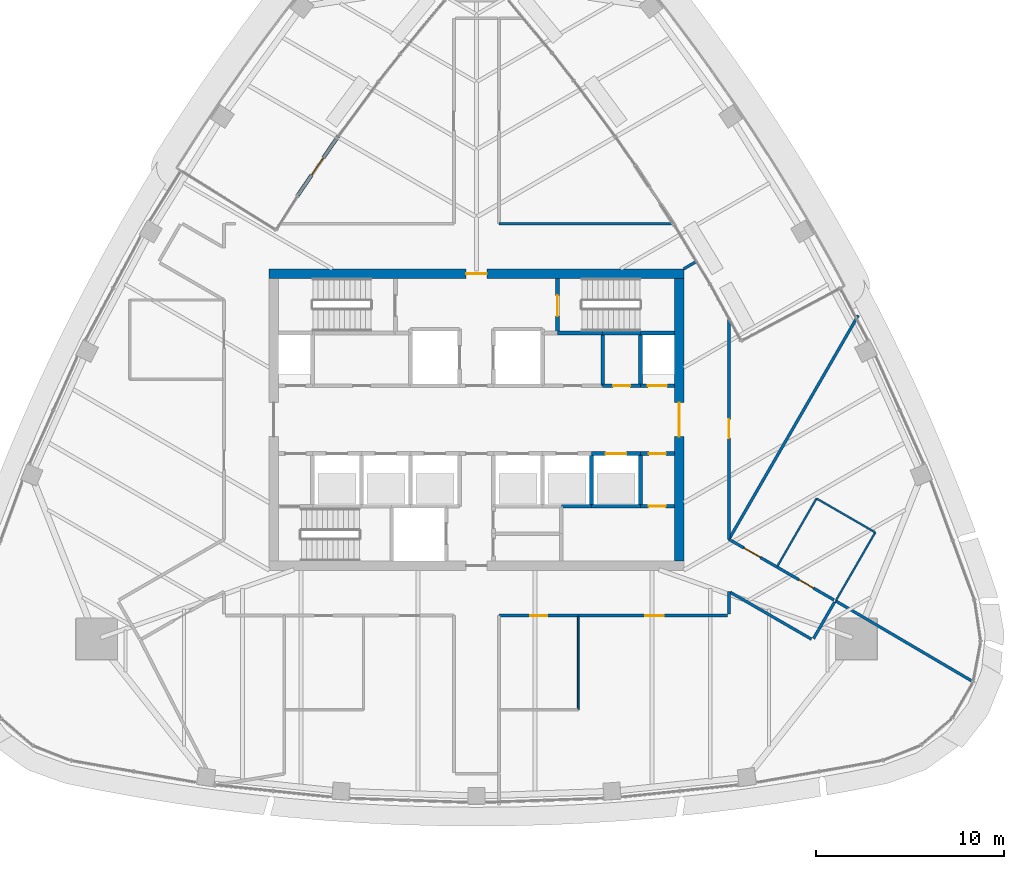
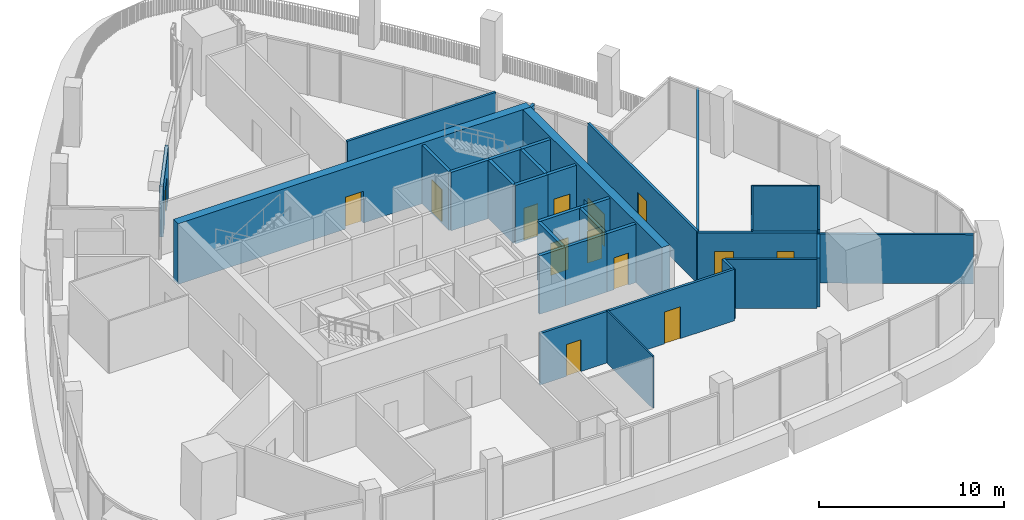
# One storey, part 12 of 18: 32 walls, 14 doors, 14 openings.
"""IFC4 building model written with IfcOpenShell, lengths in metres."""

from ifc_helpers import new_model, si_unit, direction, frame, frame_2d, origin, place, context, subcontext, project, spatial, rectangle, extrude, material, layer, layer_set, type_object, element, fill, save


model = new_model("IFC4")

# Units and contexts
model_context = context("Model", 3, precision=1e-05, world=origin(), true_north=direction((0.0, 1.0)))
body_context = subcontext(model_context, "Body", "Model", "MODEL_VIEW")
ifc_project = project(units=[si_unit("LENGTHUNIT", "METRE"), si_unit("AREAUNIT", "SQUARE_METRE"), si_unit("VOLUMEUNIT", "CUBIC_METRE"), si_unit("PLANEANGLEUNIT", "RADIAN"), si_unit("MASSUNIT", "GRAM", prefix="KILO")], contexts=[model_context])

# Site, building, storey
site_placement = place(None, origin())
site = spatial("IfcSite", under=ifc_project, at=site_placement, CompositionType="ELEMENT")
building_placement = place(site_placement, origin())
building = spatial("IfcBuilding", under=site, at=building_placement, Name="Sierra Prisma Convention Tower", CompositionType="ELEMENT")
storey_placement = place(building_placement, frame((0.0, 0.0, 307.0)))
storey = spatial("IfcBuildingStorey", under=building, at=storey_placement, Name="L70", CompositionType="ELEMENT", Elevation=307.0)

# Walls
ifc_material_1 = material(Name="Gypsum board partition", Category="gypsum")
ifc_layer_1 = layer(ifc_material_1, 0.10009765625)
ifc_layer_set_1 = layer_set([ifc_layer_1], Name="Bathroom partition 100")
wall_type_1 = type_object("IfcWallType", Name="Bathroom partition 100", PredefinedType="PARTITIONING", material=ifc_layer_set_1)
wall_1_placement = place(storey_placement, frame((5.39990234375, -10.429931640625, 0.0), z_axis=(0.0, 0.0, 1.0), x_axis=(0.0, -1.0, 0.0)))
element("IfcWall", 1, at=wall_1_placement, inside=storey, type_object=wall_type_1, Name="Partition L70 bath 6", PredefinedType="PARTITIONING", context=body_context, shape_type="SweptSolid", body=[
    extrude(rectangle(XDim=4.969970703125, YDim=0.10009765625, at=frame_2d((2.48486328125, 0.0))), origin(), (0.0, 0.0, 1.0), 3.449951171875),
])
wall_2_placement = place(storey_placement, frame((15.9609375, -7.794677734375, 0.0), z_axis=(0.0, 0.0, 1.0), x_axis=(0.499992746786, 0.866029591389, 0.0)))
element("IfcWall", 2, at=wall_2_placement, inside=storey, type_object=wall_type_1, Name="Partition L70 bath 8", PredefinedType="PARTITIONING", context=body_context, shape_type="SweptSolid", body=[
    extrude(rectangle(XDim=4.169921875, YDim=0.10009765625, at=frame_2d((2.0849609375, 0.0))), origin(), (0.0, 0.0, 1.0), 3.449951171875),
])
wall_3_placement = place(storey_placement, frame((18.0458984375, -4.183349609375, 0.0), z_axis=(0.0, 0.0, 1.0), x_axis=(0.866018442252, -0.500012057535, 0.0)))
element("IfcWall", 3, at=wall_3_placement, inside=storey, type_object=wall_type_1, Name="Partition L70 bath 9", PredefinedType="PARTITIONING", context=body_context, shape_type="SweptSolid", body=[
    extrude(rectangle(XDim=3.60009765625, YDim=0.10009765625, at=frame_2d((1.800048828125, 0.0))), origin(), (0.0, 0.0, 1.0), 3.443115234375),
])
wall_4_placement = place(storey_placement, frame((21.16357421875, -5.9833984375, 0.0), z_axis=(0.0, 0.0, 1.0), x_axis=(-0.499992746786, -0.866029591389, 0.0)))
element("IfcWall", 4, at=wall_4_placement, inside=storey, type_object=wall_type_1, Name="Partition L70 bath 10", PredefinedType="PARTITIONING", context=body_context, shape_type="SweptSolid", body=[
    extrude(rectangle(XDim=4.169921875, YDim=0.10009765625, at=frame_2d((2.0849609375, 0.0))), origin(), (0.0, 0.0, 1.0), 3.449951171875),
])
ifc_material_2 = material(Name="Concrete C30/37", Category="concrete")
ifc_layer_2 = layer(ifc_material_2, 0.199951171875)
ifc_layer_set_2 = layer_set([ifc_layer_2], Name="Core wall RC 200 C30/37")
wall_type_2 = type_object("IfcWallType", Name="Core wall RC 200 C30/37", PredefinedType="SOLIDWALL", material=ifc_layer_set_2)
wall_5_placement = place(storey_placement, frame((6.699951171875, 4.60009765625, 0.0), z_axis=(0.0, 0.0, 1.0), x_axis=(-1.0, 0.0, 0.0)))
element("IfcWall", 5, at=wall_5_placement, inside=storey, type_object=wall_type_2, Name="Core wall L70 47", PredefinedType="SOLIDWALL", context=body_context, shape_type="SweptSolid", body=[
    extrude(rectangle(XDim=2.39990234375, YDim=0.199951171875, at=frame_2d((1.199951171875, 0.0))), origin(), (0.0, 0.0, 1.0), 3.85009765625),
])

# Wall, opening, door
wall_6_placement = place(storey_placement, frame((4.300048828125, 7.5, 0.0), z_axis=(0.0, 0.0, 1.0), x_axis=(0.0, -1.0, 0.0)))
wall_6 = element("IfcWall", 6, at=wall_6_placement, inside=storey, type_object=wall_type_2, Name="Core wall L70 48", PredefinedType="SOLIDWALL", context=body_context, shape_type="SweptSolid", body=[
    extrude(rectangle(XDim=2.89990234375, YDim=0.199951171875, at=frame_2d((1.449951171875, 0.0))), origin(), (0.0, 0.0, 1.0), 3.85009765625),
])
opening_1_placement = place(wall_6_placement, frame((0.89990234375, 0.0, 0.0)))
opening_1 = element("IfcOpeningElement", 7, at=opening_1_placement, cuts=wall_6, Name="Opening L70-D019", PredefinedType="OPENING", context=body_context, shape_type="SweptSolid", body=[
    extrude(rectangle(XDim=1.10009765625, YDim=2.10009765625, at=frame_2d((0.550048828125, 1.050048828125))), frame((0.0, 0.10009765625, 0.0), z_axis=(0.0, -1.0, 0.0), x_axis=(1.0, 0.0, 0.0)), (0.0, 0.0, 1.0), 0.199951171875),
])
ifc_material_3 = material(Name="Steel fire door leaf", Category="steel")
door_type_1 = type_object("IfcDoorType", Name="Door 1100x2100 FD90S", OperationType="SINGLE_SWING_LEFT", PredefinedType="DOOR", material=ifc_material_3)
door_1_placement = place(opening_1_placement, origin())
door_1 = element("IfcDoor", 8, at=door_1_placement, inside=storey, type_object=door_type_1, Name="Door L70 29", OperationType="SINGLE_SWING_LEFT", OverallHeight=2.10009765625, OverallWidth=1.10009765625, PredefinedType="DOOR", context=body_context, shape_type="SweptSolid", body=[
    extrude(rectangle(XDim=1.10009765625, YDim=2.10009765625, at=frame_2d((0.550048828125, 1.050048828125))), frame((0.0, 0.02490234375, 0.0), z_axis=(0.0, -1.0, 0.0), x_axis=(1.0, 0.0, 0.0)), (0.0, 0.0, 1.0), 0.050048828125),
])
fill(opening_1, door_1)

# Walls
wall_7_placement = place(storey_placement, frame((6.10009765625, -4.60009765625, 0.0), z_axis=(0.0, 0.0, 1.0), x_axis=(-1.0, 0.0, 0.0)))
element("IfcWall", 9, at=wall_7_placement, inside=storey, type_object=wall_type_2, Name="Core wall L70 51", PredefinedType="SOLIDWALL", context=body_context, shape_type="SweptSolid", body=[
    extrude(rectangle(XDim=1.60009765625, YDim=0.199951171875, at=frame_2d((0.800048828125, 0.0))), origin(), (0.0, 0.0, 1.0), 3.85009765625),
])
wall_8_placement = place(storey_placement, frame((8.699951171875, -4.60009765625, 0.0), z_axis=(0.0, 0.0, 1.0), x_axis=(-1.0, 0.0, 0.0)))
element("IfcWall", 10, at=wall_8_placement, inside=storey, type_object=wall_type_2, Name="Core wall L70 52", PredefinedType="SOLIDWALL", context=body_context, shape_type="SweptSolid", body=[
    extrude(rectangle(XDim=2.599853515625, YDim=0.199951171875, at=frame_2d((1.2998046875, 0.0))), origin(), (0.0, 0.0, 1.0), 3.85009765625),
])
wall_9_placement = place(storey_placement, frame((6.10009765625, -4.60009765625, 0.0), z_axis=(0.0, 0.0, 1.0), x_axis=(0.0, 1.0, 0.0)))
element("IfcWall", 11, at=wall_9_placement, inside=storey, type_object=wall_type_2, Name="Core wall L70 53", PredefinedType="SOLIDWALL", context=body_context, shape_type="SweptSolid", body=[
    extrude(rectangle(XDim=2.800048828125, YDim=0.199951171875, at=frame_2d((1.39990234375, 0.0))), origin(), (0.0, 0.0, 1.0), 3.85009765625),
])

# Wall, opening, door
wall_10_placement = place(storey_placement, frame((6.10009765625, -1.800048828125, 0.0), z_axis=(0.0, 0.0, 1.0), x_axis=(1.0, 0.0, 0.0)))
wall_10 = element("IfcWall", 12, at=wall_10_placement, inside=storey, type_object=wall_type_2, Name="Core wall L70 54", PredefinedType="SOLIDWALL", context=body_context, shape_type="SweptSolid", body=[
    extrude(rectangle(XDim=2.599853515625, YDim=0.199951171875, at=frame_2d((1.2998046875, 0.0))), origin(), (0.0, 0.0, 1.0), 3.85009765625),
])
opening_2_placement = place(wall_10_placement, frame((0.75, 0.0, 0.0)))
opening_2 = element("IfcOpeningElement", 13, at=opening_2_placement, cuts=wall_10, Name="Opening L70-D008", PredefinedType="OPENING", context=body_context, shape_type="SweptSolid", body=[
    extrude(rectangle(XDim=1.10009765625, YDim=2.10009765625, at=frame_2d((0.550048828125, 1.050048828125))), frame((0.0, 0.10009765625, 0.0), z_axis=(0.0, -1.0, 0.0), x_axis=(1.0, 0.0, 0.0)), (0.0, 0.0, 1.0), 0.199951171875),
])
ifc_material_4 = material(Name="Steel fire door leaf", Category="steel")
door_type_2 = type_object("IfcDoorType", Name="Door 1100x2100 EI 90 sliding lift landing", OperationType="SLIDING_TO_LEFT", PredefinedType="DOOR", material=ifc_material_4)
door_2_placement = place(opening_2_placement, origin())
door_2 = element("IfcDoor", 14, at=door_2_placement, inside=storey, type_object=door_type_2, Name="Door L70 18", OperationType="SLIDING_TO_RIGHT", OverallHeight=2.10009765625, OverallWidth=1.10009765625, PredefinedType="DOOR", context=body_context, shape_type="SweptSolid", body=[
    extrude(rectangle(XDim=1.10009765625, YDim=2.10009765625, at=frame_2d((0.550048828125, 1.050048828125))), frame((0.0, 0.02490234375, 0.0), z_axis=(0.0, -1.0, 0.0), x_axis=(1.0, 0.0, 0.0)), (0.0, 0.0, 1.0), 0.050048828125),
])
fill(opening_2, door_2)

wall_11_placement = place(storey_placement, frame((6.699951171875, 1.800048828125, 0.0), z_axis=(0.0, 0.0, 1.0), x_axis=(1.0, 0.0, 0.0)))
wall_11 = element("IfcWall", 15, at=wall_11_placement, inside=storey, type_object=wall_type_2, Name="Core wall L70 55", PredefinedType="SOLIDWALL", context=body_context, shape_type="SweptSolid", body=[
    extrude(rectangle(XDim=2.0, YDim=0.199951171875, at=frame_2d((1.0, 0.0))), origin(), (0.0, 0.0, 1.0), 3.85009765625),
])
opening_3_placement = place(wall_11_placement, frame((0.550048828125, 0.0, 0.0)))
opening_3 = element("IfcOpeningElement", 16, at=opening_3_placement, cuts=wall_11, Name="Opening L70-D021", PredefinedType="OPENING", context=body_context, shape_type="SweptSolid", body=[
    extrude(rectangle(XDim=0.89990234375, YDim=2.10009765625, at=frame_2d((0.449951171875, 1.050048828125))), frame((0.0, 0.10009765625, 0.0), z_axis=(0.0, -1.0, 0.0), x_axis=(1.0, 0.0, 0.0)), (0.0, 0.0, 1.0), 0.199951171875),
])
ifc_material_5 = material(Name="Steel fire door leaf", Category="steel")
door_type_3 = type_object("IfcDoorType", Name="Door 900x2100 FD30S", OperationType="SINGLE_SWING_LEFT", PredefinedType="DOOR", material=ifc_material_5)
door_3_placement = place(opening_3_placement, origin())
door_3 = element("IfcDoor", 17, at=door_3_placement, inside=storey, type_object=door_type_3, Name="Door L70 31", OperationType="SINGLE_SWING_LEFT", OverallHeight=2.10009765625, OverallWidth=0.89990234375, PredefinedType="DOOR", context=body_context, shape_type="SweptSolid", body=[
    extrude(rectangle(XDim=0.89990234375, YDim=2.10009765625, at=frame_2d((0.449951171875, 1.050048828125))), frame((0.0, 0.02490234375, 0.0), z_axis=(0.0, -1.0, 0.0), x_axis=(1.0, 0.0, 0.0)), (0.0, 0.0, 1.0), 0.050048828125),
])
fill(opening_3, door_3)

# Walls
wall_12_placement = place(storey_placement, frame((6.699951171875, 1.800048828125, 0.0), z_axis=(0.0, 0.0, 1.0), x_axis=(0.0, 1.0, 0.0)))
element("IfcWall", 18, at=wall_12_placement, inside=storey, type_object=wall_type_2, Name="Core wall L70 56", PredefinedType="SOLIDWALL", context=body_context, shape_type="SweptSolid", body=[
    extrude(rectangle(XDim=2.800048828125, YDim=0.199951171875, at=frame_2d((1.39990234375, 0.0))), origin(), (0.0, 0.0, 1.0), 3.85009765625),
])
wall_13_placement = place(storey_placement, frame((8.699951171875, 4.60009765625, 0.0), z_axis=(0.0, 0.0, 1.0), x_axis=(-1.0, 0.0, 0.0)))
element("IfcWall", 19, at=wall_13_placement, inside=storey, type_object=wall_type_2, Name="Core wall L70 57", PredefinedType="SOLIDWALL", context=body_context, shape_type="SweptSolid", body=[
    extrude(rectangle(XDim=2.0, YDim=0.199951171875, at=frame_2d((1.0, 0.0))), origin(), (0.0, 0.0, 1.0), 3.85009765625),
])

# Wall, opening, door
wall_14_placement = place(storey_placement, frame((10.5, -4.60009765625, 0.0), z_axis=(0.0, 0.0, 1.0), x_axis=(-1.0, 0.0, 0.0)))
wall_14 = element("IfcWall", 20, at=wall_14_placement, inside=storey, type_object=wall_type_2, Name="Core wall L70 58", PredefinedType="SOLIDWALL", context=body_context, shape_type="SweptSolid", body=[
    extrude(rectangle(XDim=1.800048828125, YDim=0.199951171875, at=frame_2d((0.89990234375, 0.0))), origin(), (0.0, 0.0, 1.0), 3.85009765625),
])
opening_4_placement = place(wall_14_placement, frame((0.4599609375, 0.0, 0.0)))
opening_4 = element("IfcOpeningElement", 21, at=opening_4_placement, cuts=wall_14, Name="Opening L70-D023", PredefinedType="OPENING", context=body_context, shape_type="SweptSolid", body=[
    extrude(rectangle(XDim=0.89990234375, YDim=2.10009765625, at=frame_2d((0.449951171875, 1.050048828125))), frame((0.0, 0.10009765625, 0.0), z_axis=(0.0, -1.0, 0.0), x_axis=(1.0, 0.0, 0.0)), (0.0, 0.0, 1.0), 0.199951171875),
])
door_4_placement = place(opening_4_placement, origin())
door_4 = element("IfcDoor", 22, at=door_4_placement, inside=storey, type_object=door_type_3, Name="Door L70 33", OperationType="SINGLE_SWING_RIGHT", OverallHeight=2.10009765625, OverallWidth=0.89990234375, PredefinedType="DOOR", context=body_context, shape_type="SweptSolid", body=[
    extrude(rectangle(XDim=0.89990234375, YDim=2.10009765625, at=frame_2d((0.449951171875, 1.050048828125))), frame((0.0, 0.02490234375, 0.0), z_axis=(0.0, -1.0, 0.0), x_axis=(1.0, 0.0, 0.0)), (0.0, 0.0, 1.0), 0.050048828125),
])
fill(opening_4, door_4)

# Wall
wall_15_placement = place(storey_placement, frame((8.699951171875, -1.800048828125, 0.0), z_axis=(0.0, 0.0, 1.0), x_axis=(0.0, -1.0, 0.0)))
element("IfcWall", 23, at=wall_15_placement, inside=storey, type_object=wall_type_2, Name="Core wall L70 59", PredefinedType="SOLIDWALL", context=body_context, shape_type="SweptSolid", body=[
    extrude(rectangle(XDim=2.800048828125, YDim=0.199951171875, at=frame_2d((1.39990234375, 0.0))), origin(), (0.0, 0.0, 1.0), 3.85009765625),
])

# Wall, opening, door
wall_16_placement = place(storey_placement, frame((8.699951171875, -1.800048828125, 0.0), z_axis=(0.0, 0.0, 1.0), x_axis=(1.0, 0.0, 0.0)))
wall_16 = element("IfcWall", 24, at=wall_16_placement, inside=storey, type_object=wall_type_2, Name="Core wall L70 60", PredefinedType="SOLIDWALL", context=body_context, shape_type="SweptSolid", body=[
    extrude(rectangle(XDim=1.800048828125, YDim=0.199951171875, at=frame_2d((0.89990234375, 0.0))), origin(), (0.0, 0.0, 1.0), 3.85009765625),
])
opening_5_placement = place(wall_16_placement, frame((0.449951171875, 0.0, 0.0)))
opening_5 = element("IfcOpeningElement", 25, at=opening_5_placement, cuts=wall_16, Name="Opening L70-D024", PredefinedType="OPENING", context=body_context, shape_type="SweptSolid", body=[
    extrude(rectangle(XDim=0.89990234375, YDim=2.10009765625, at=frame_2d((0.449951171875, 1.050048828125))), frame((0.0, 0.10009765625, 0.0), z_axis=(0.0, -1.0, 0.0), x_axis=(1.0, 0.0, 0.0)), (0.0, 0.0, 1.0), 0.199951171875),
])
door_5_placement = place(opening_5_placement, origin())
door_5 = element("IfcDoor", 26, at=door_5_placement, inside=storey, type_object=door_type_3, Name="Door L70 34", OperationType="SINGLE_SWING_LEFT", OverallHeight=2.10009765625, OverallWidth=0.89990234375, PredefinedType="DOOR", context=body_context, shape_type="SweptSolid", body=[
    extrude(rectangle(XDim=0.89990234375, YDim=2.10009765625, at=frame_2d((0.449951171875, 1.050048828125))), frame((0.0, 0.02490234375, 0.0), z_axis=(0.0, -1.0, 0.0), x_axis=(1.0, 0.0, 0.0)), (0.0, 0.0, 1.0), 0.050048828125),
])
fill(opening_5, door_5)

wall_17_placement = place(storey_placement, frame((10.5, 1.800048828125, 0.0), z_axis=(0.0, 0.0, 1.0), x_axis=(-1.0, 0.0, 0.0)))
wall_17 = element("IfcWall", 27, at=wall_17_placement, inside=storey, type_object=wall_type_2, Name="Core wall L70 61", PredefinedType="SOLIDWALL", context=body_context, shape_type="SweptSolid", body=[
    extrude(rectangle(XDim=1.800048828125, YDim=0.199951171875, at=frame_2d((0.89990234375, 0.0))), origin(), (0.0, 0.0, 1.0), 3.85009765625),
])
opening_6_placement = place(wall_17_placement, frame((0.39990234375, 0.0, 0.0)))
opening_6 = element("IfcOpeningElement", 28, at=opening_6_placement, cuts=wall_17, Name="Opening L70-D016", PredefinedType="OPENING", context=body_context, shape_type="SweptSolid", body=[
    extrude(rectangle(XDim=1.0, YDim=2.10009765625, at=frame_2d((0.5, 1.050048828125))), frame((0.0, 0.10009765625, 0.0), z_axis=(0.0, -1.0, 0.0), x_axis=(1.0, 0.0, 0.0)), (0.0, 0.0, 1.0), 0.199951171875),
])
ifc_material_6 = material(Name="Steel fire door leaf", Category="steel")
door_type_4 = type_object("IfcDoorType", Name="Door 1000x2100 FD60S", OperationType="SINGLE_SWING_LEFT", PredefinedType="DOOR", material=ifc_material_6)
door_6_placement = place(opening_6_placement, origin())
door_6 = element("IfcDoor", 29, at=door_6_placement, inside=storey, type_object=door_type_4, Name="Door L70 26", OperationType="SINGLE_SWING_LEFT", OverallHeight=2.10009765625, OverallWidth=1.0, PredefinedType="DOOR", context=body_context, shape_type="SweptSolid", body=[
    extrude(rectangle(XDim=1.0, YDim=2.10009765625, at=frame_2d((0.5, 1.050048828125))), frame((0.0, 0.02490234375, 0.0), z_axis=(0.0, -1.0, 0.0), x_axis=(1.0, 0.0, 0.0)), (0.0, 0.0, 1.0), 0.050048828125),
])
fill(opening_6, door_6)

# Walls
wall_18_placement = place(storey_placement, frame((8.699951171875, 1.800048828125, 0.0), z_axis=(0.0, 0.0, 1.0), x_axis=(0.0, 1.0, 0.0)))
element("IfcWall", 30, at=wall_18_placement, inside=storey, type_object=wall_type_2, Name="Core wall L70 62", PredefinedType="SOLIDWALL", context=body_context, shape_type="SweptSolid", body=[
    extrude(rectangle(XDim=2.800048828125, YDim=0.199951171875, at=frame_2d((1.39990234375, 0.0))), origin(), (0.0, 0.0, 1.0), 3.85009765625),
])
wall_19_placement = place(storey_placement, frame((10.5, 4.60009765625, 0.0), z_axis=(0.0, 0.0, 1.0), x_axis=(-1.0, 0.0, 0.0)))
element("IfcWall", 31, at=wall_19_placement, inside=storey, type_object=wall_type_2, Name="Core wall L70 63", PredefinedType="SOLIDWALL", context=body_context, shape_type="SweptSolid", body=[
    extrude(rectangle(XDim=1.800048828125, YDim=0.199951171875, at=frame_2d((0.89990234375, 0.0))), origin(), (0.0, 0.0, 1.0), 3.85009765625),
])

# Wall, opening, door
ifc_material_7 = material(Name="Concrete C50/60", Category="concrete")
ifc_layer_3 = layer(ifc_material_7, 0.5)
ifc_layer_set_3 = layer_set([ifc_layer_3], Name="Core wall RC 500 C50/60")
wall_type_3 = type_object("IfcWallType", Name="Core wall RC 500 C50/60", PredefinedType="SHEAR", material=ifc_layer_set_3)
wall_20_placement = place(storey_placement, frame((-11.0, 7.75, 0.0), z_axis=(0.0, 0.0, 1.0), x_axis=(1.0, 0.0, 0.0)))
wall_20 = element("IfcWall", 32, at=wall_20_placement, inside=storey, type_object=wall_type_3, Name="Core wall N L70", PredefinedType="SHEAR", context=body_context, shape_type="SweptSolid", body=[
    extrude(rectangle(XDim=22.0, YDim=0.5, at=frame_2d((11.0, 0.0))), origin(), (0.0, 0.0, 1.0), 4.0),
])
opening_7_placement = place(wall_20_placement, frame((10.449951171875, 0.0, 0.0)))
opening_7 = element("IfcOpeningElement", 33, at=opening_7_placement, cuts=wall_20, Name="Opening L70-D040", PredefinedType="OPENING", context=body_context, shape_type="SweptSolid", body=[
    extrude(rectangle(XDim=1.10009765625, YDim=2.10009765625, at=frame_2d((0.550048828125, 1.050048828125))), frame((0.0, 0.25, 0.0), z_axis=(0.0, -1.0, 0.0), x_axis=(1.0, 0.0, 0.0)), (0.0, 0.0, 1.0), 0.5),
])
ifc_material_8 = material(Name="Steel fire door leaf", Category="steel")
door_type_5 = type_object("IfcDoorType", Name="Door 1100x2100 FD60S", OperationType="SINGLE_SWING_LEFT", PredefinedType="DOOR", material=ifc_material_8)
door_7_placement = place(opening_7_placement, origin())
door_7 = element("IfcDoor", 34, at=door_7_placement, inside=storey, type_object=door_type_5, Name="Door L70 39", OperationType="SINGLE_SWING_LEFT", OverallHeight=2.10009765625, OverallWidth=1.10009765625, PredefinedType="DOOR", context=body_context, shape_type="SweptSolid", body=[
    extrude(rectangle(XDim=1.10009765625, YDim=2.10009765625, at=frame_2d((0.550048828125, 1.050048828125))), frame((0.0, 0.02490234375, 0.0), z_axis=(0.0, -1.0, 0.0), x_axis=(1.0, 0.0, 0.0)), (0.0, 0.0, 1.0), 0.050048828125),
])
fill(opening_7, door_7)

wall_21_placement = place(storey_placement, frame((10.75, -7.5, 0.0), z_axis=(0.0, 0.0, 1.0), x_axis=(0.0, 1.0, 0.0)))
wall_21 = element("IfcWall", 35, at=wall_21_placement, inside=storey, type_object=wall_type_3, Name="Core wall E L70", PredefinedType="SHEAR", context=body_context, shape_type="SweptSolid", body=[
    extrude(rectangle(XDim=15.0, YDim=0.5, at=frame_2d((7.5, 0.0))), origin(), (0.0, 0.0, 1.0), 4.0),
])
opening_8_placement = place(wall_21_placement, frame((6.60009765625, 0.0, 0.0)))
opening_8 = element("IfcOpeningElement", 36, at=opening_8_placement, cuts=wall_21, Name="Opening L70-D039", PredefinedType="OPENING", context=body_context, shape_type="SweptSolid", body=[
    extrude(rectangle(XDim=1.800048828125, YDim=2.10009765625, at=frame_2d((0.89990234375, 1.050048828125))), frame((0.0, 0.25, 0.0), z_axis=(0.0, -1.0, 0.0), x_axis=(1.0, 0.0, 0.0)), (0.0, 0.0, 1.0), 0.5),
])
ifc_material_9 = material(Name="Steel fire door leaf", Category="steel")
door_type_6 = type_object("IfcDoorType", Name="Door 1800x2100 FD60S", OperationType="DOUBLE_DOOR_SINGLE_SWING", PredefinedType="DOOR", material=ifc_material_9)
door_8_placement = place(opening_8_placement, origin())
door_8 = element("IfcDoor", 37, at=door_8_placement, inside=storey, type_object=door_type_6, Name="Door L70 38", OperationType="DOUBLE_DOOR_SINGLE_SWING", OverallHeight=2.10009765625, OverallWidth=1.800048828125, PredefinedType="DOOR", context=body_context, shape_type="SweptSolid", body=[
    extrude(rectangle(XDim=1.800048828125, YDim=2.10009765625, at=frame_2d((0.89990234375, 1.050048828125))), frame((0.0, 0.02490234375, 0.0), z_axis=(0.0, -1.0, 0.0), x_axis=(1.0, 0.0, 0.0)), (0.0, 0.0, 1.0), 0.050048828125),
])
fill(opening_8, door_8)

# Wall, openings, doors
ifc_material_10 = material(Name="Gypsum board partition", Category="gypsum")
ifc_layer_4 = layer(ifc_material_10, 0.14990234375)
ifc_layer_set_4 = layer_set([ifc_layer_4], Name="Corridor wall 150 gypsum EI 60")
wall_type_4 = type_object("IfcWallType", Name="Corridor wall 150 gypsum EI 60", PredefinedType="PARTITIONING", material=ifc_layer_set_4)
wall_22_placement = place(storey_placement, frame((1.199951171875, -10.39990234375, 0.0), z_axis=(0.0, 0.0, 1.0), x_axis=(1.0, 0.0, 0.0)))
wall_22 = element("IfcWall", 38, at=wall_22_placement, inside=storey, type_object=wall_type_4, Name="Partition L70 corr 18", PredefinedType="PARTITIONING", context=body_context, shape_type="SweptSolid", body=[
    extrude(rectangle(XDim=12.1201171875, YDim=0.14990234375, at=frame_2d((6.06005859375, 0.0))), origin(), (0.0, 0.0, 1.0), 3.39306640625),
])
opening_9_placement = place(wall_22_placement, frame((1.64990234375, 0.0, 0.0)))
opening_9 = element("IfcOpeningElement", 39, at=opening_9_placement, cuts=wall_22, Name="Opening L70-D035", PredefinedType="OPENING", context=body_context, shape_type="SweptSolid", body=[
    extrude(rectangle(XDim=0.89990234375, YDim=2.10009765625, at=frame_2d((0.449951171875, 1.050048828125))), frame((0.0, 0.074951171875, 0.0), z_axis=(0.0, -1.0, 0.0), x_axis=(1.0, 0.0, 0.0)), (0.0, 0.0, 1.0), 0.14990234375),
])
opening_10_placement = place(wall_22_placement, frame((7.75, 0.0, 0.0)))
opening_10 = element("IfcOpeningElement", 40, at=opening_10_placement, cuts=wall_22, Name="Opening L70-D036", PredefinedType="OPENING", context=body_context, shape_type="SweptSolid", body=[
    extrude(rectangle(XDim=1.0, YDim=2.10009765625, at=frame_2d((0.5, 1.050048828125))), frame((0.0, 0.074951171875, 0.0), z_axis=(0.0, -1.0, 0.0), x_axis=(1.0, 0.0, 0.0)), (0.0, 0.0, 1.0), 0.14990234375),
])
ifc_material_11 = material(Name="Steel fire door leaf", Category="steel")
door_type_7 = type_object("IfcDoorType", Name="Door 1000x2100 FD30S", OperationType="SINGLE_SWING_LEFT", PredefinedType="DOOR", material=ifc_material_11)
door_9_placement = place(opening_10_placement, origin())
door_9 = element("IfcDoor", 41, at=door_9_placement, inside=storey, type_object=door_type_7, Name="Door L70 10", OperationType="SINGLE_SWING_LEFT", OverallHeight=2.10009765625, OverallWidth=1.0, PredefinedType="DOOR", context=body_context, shape_type="SweptSolid", body=[
    extrude(rectangle(XDim=1.0, YDim=2.10009765625, at=frame_2d((0.5, 1.050048828125))), frame((0.0, 0.02490234375, 0.0), z_axis=(0.0, -1.0, 0.0), x_axis=(1.0, 0.0, 0.0)), (0.0, 0.0, 1.0), 0.050048828125),
])
fill(opening_10, door_9)
door_10_placement = place(opening_9_placement, origin())
door_10 = element("IfcDoor", 42, at=door_10_placement, inside=storey, type_object=door_type_3, Name="Door L70 9", OperationType="SINGLE_SWING_LEFT", OverallHeight=2.10009765625, OverallWidth=0.89990234375, PredefinedType="DOOR", context=body_context, shape_type="SweptSolid", body=[
    extrude(rectangle(XDim=0.89990234375, YDim=2.10009765625, at=frame_2d((0.449951171875, 1.050048828125))), frame((0.0, 0.02490234375, 0.0), z_axis=(0.0, -1.0, 0.0), x_axis=(1.0, 0.0, 0.0)), (0.0, 0.0, 1.0), 0.050048828125),
])
fill(opening_9, door_10)

# Walls
wall_23_placement = place(storey_placement, frame((10.451171875, 10.39990234375, 0.0), z_axis=(0.0, 0.0, 1.0), x_axis=(-1.0, 0.0, 0.0)))
element("IfcWall", 43, at=wall_23_placement, inside=storey, type_object=wall_type_4, Name="Partition L70 corr 19", PredefinedType="PARTITIONING", context=body_context, shape_type="SweptSolid", body=[
    extrude(rectangle(XDim=9.251220703125, YDim=0.14990234375, at=frame_2d((4.62548828125, 0.0))), origin(), (0.0, 0.0, 1.0), 3.449951171875),
])
wall_24_placement = place(storey_placement, frame((11.0, 8.0, 0.0), z_axis=(0.0, 0.0, 1.0), x_axis=(0.861341454675, 0.508026474171, 0.0)))
element("IfcWall", 44, at=wall_24_placement, inside=storey, type_object=wall_type_4, Name="Partition L70 corr 21", PredefinedType="PARTITIONING", context=body_context, shape_type="SweptSolid", body=[
    extrude(rectangle(XDim=0.7841796875, YDim=0.14990234375, at=frame_2d((0.39208984375, 0.0))), origin(), (0.0, 0.0, 1.0), 3.449951171875),
])
wall_25_placement = place(storey_placement, frame((13.39990234375, -10.320068359375, 0.0), z_axis=(0.0, 0.0, 1.0), x_axis=(0.0, 1.0, 0.0)))
element("IfcWall", 45, at=wall_25_placement, inside=storey, type_object=wall_type_4, Name="Partition L70 corr 22", PredefinedType="PARTITIONING", context=body_context, shape_type="SweptSolid", body=[
    extrude(rectangle(XDim=1.197998046875, YDim=0.14990234375, at=frame_2d((0.59912109375, 0.0))), origin(), (0.0, 0.0, 1.0), 3.23291015625),
])
wall_26_placement = place(storey_placement, frame((13.479248046875, -9.16796875, 0.0), z_axis=(0.0, 0.0, 1.0), x_axis=(0.866027465686, -0.499996428664, 0.0)))
element("IfcWall", 46, at=wall_26_placement, inside=storey, type_object=wall_type_4, Name="Partition L70 corr 23", PredefinedType="PARTITIONING", context=body_context, shape_type="SweptSolid", body=[
    extrude(rectangle(XDim=4.96240234375, YDim=0.14990234375, at=frame_2d((2.481201171875, 0.0))), origin(), (0.0, 0.0, 1.0), 3.23291015625),
])

# Wall, opening, door
wall_27_placement = place(storey_placement, frame((13.39990234375, -6.350830078125, 0.0), z_axis=(0.0, 0.0, 1.0), x_axis=(0.0, 1.0, 0.0)))
wall_27 = element("IfcWall", 47, at=wall_27_placement, inside=storey, type_object=wall_type_4, Name="Partition L70 corr 24", PredefinedType="PARTITIONING", context=body_context, shape_type="SweptSolid", body=[
    extrude(rectangle(XDim=11.74462890625, YDim=0.14990234375, at=frame_2d((5.872314453125, 0.0))), origin(), (0.0, 0.0, 1.0), 3.39306640625),
])
opening_11_placement = place(wall_27_placement, frame((5.372314453125, 0.0, 0.0)))
opening_11 = element("IfcOpeningElement", 48, at=opening_11_placement, cuts=wall_27, Name="Opening L70-D027", PredefinedType="OPENING", context=body_context, shape_type="SweptSolid", body=[
    extrude(rectangle(XDim=1.0, YDim=2.10009765625, at=frame_2d((0.5, 1.050048828125))), frame((0.0, 0.074951171875, 0.0), z_axis=(0.0, -1.0, 0.0), x_axis=(1.0, 0.0, 0.0)), (0.0, 0.0, 1.0), 0.14990234375),
])
door_11_placement = place(opening_11_placement, origin())
door_11 = element("IfcDoor", 49, at=door_11_placement, inside=storey, type_object=door_type_7, Name="Door L70 1", OperationType="SINGLE_SWING_LEFT", OverallHeight=2.10009765625, OverallWidth=1.0, PredefinedType="DOOR", context=body_context, shape_type="SweptSolid", body=[
    extrude(rectangle(XDim=1.0, YDim=2.10009765625, at=frame_2d((0.5, 1.050048828125))), frame((0.0, 0.02490234375, 0.0), z_axis=(0.0, -1.0, 0.0), x_axis=(1.0, 0.0, 0.0)), (0.0, 0.0, 1.0), 0.050048828125),
])
fill(opening_11, door_11)

# Wall, openings, doors
wall_28_placement = place(storey_placement, frame((18.976806640625, -9.57080078125, 0.0), z_axis=(0.0, 0.0, 1.0), x_axis=(-0.866015754151, 0.500016713282, 0.0)))
wall_28 = element("IfcWall", 50, at=wall_28_placement, inside=storey, type_object=wall_type_4, Name="Partition L70 corr 25", PredefinedType="PARTITIONING", context=body_context, shape_type="SweptSolid", body=[
    extrude(rectangle(XDim=6.439697265625, YDim=0.14990234375, at=frame_2d((3.2197265625, 0.0))), origin(), (0.0, 0.0, 1.0), 3.31689453125),
])
opening_12_placement = place(wall_28_placement, frame((1.25, 0.0, 0.0)))
opening_12 = element("IfcOpeningElement", 51, at=opening_12_placement, cuts=wall_28, Name="Opening L70-D037", PredefinedType="OPENING", context=body_context, shape_type="SweptSolid", body=[
    extrude(rectangle(XDim=0.89990234375, YDim=2.10009765625, at=frame_2d((0.449951171875, 1.050048828125))), frame((0.0, 0.074951171875, 0.0), z_axis=(0.0, -1.0, 0.0), x_axis=(1.0, 0.0, 0.0)), (0.0, 0.0, 1.0), 0.14990234375),
])
opening_13_placement = place(wall_28_placement, frame((4.519775390625, 0.0, 0.0)))
opening_13 = element("IfcOpeningElement", 52, at=opening_13_placement, cuts=wall_28, Name="Opening L70-D038", PredefinedType="OPENING", context=body_context, shape_type="SweptSolid", body=[
    extrude(rectangle(XDim=1.0, YDim=2.10009765625, at=frame_2d((0.5, 1.050048828125))), frame((0.0, 0.074951171875, 0.0), z_axis=(0.0, -1.0, 0.0), x_axis=(1.0, 0.0, 0.0)), (0.0, 0.0, 1.0), 0.14990234375),
])
door_12_placement = place(opening_13_placement, origin())
door_12 = element("IfcDoor", 53, at=door_12_placement, inside=storey, type_object=door_type_7, Name="Door L70 12", OperationType="SINGLE_SWING_LEFT", OverallHeight=2.10009765625, OverallWidth=1.0, PredefinedType="DOOR", context=body_context, shape_type="SweptSolid", body=[
    extrude(rectangle(XDim=1.0, YDim=2.10009765625, at=frame_2d((0.5, 1.050048828125))), frame((0.0, 0.02490234375, 0.0), z_axis=(0.0, -1.0, 0.0), x_axis=(1.0, 0.0, 0.0)), (0.0, 0.0, 1.0), 0.050048828125),
])
fill(opening_13, door_12)
door_13_placement = place(opening_12_placement, origin())
door_13 = element("IfcDoor", 54, at=door_13_placement, inside=storey, type_object=door_type_3, Name="Door L70 11", OperationType="SINGLE_SWING_LEFT", OverallHeight=2.10009765625, OverallWidth=0.89990234375, PredefinedType="DOOR", context=body_context, shape_type="SweptSolid", body=[
    extrude(rectangle(XDim=0.89990234375, YDim=2.10009765625, at=frame_2d((0.449951171875, 1.050048828125))), frame((0.0, 0.02490234375, 0.0), z_axis=(0.0, -1.0, 0.0), x_axis=(1.0, 0.0, 0.0)), (0.0, 0.0, 1.0), 0.050048828125),
])
fill(opening_12, door_13)

# Walls
wall_29_placement = place(storey_placement, frame((17.88623046875, -11.619873046875, 0.0), z_axis=(0.0, 0.0, 1.0), x_axis=(0.49994888933, 0.866054910533, 0.0)))
element("IfcWall", 55, at=wall_29_placement, inside=storey, type_object=wall_type_4, Name="Partition L70 corr 26", PredefinedType="PARTITIONING", context=body_context, shape_type="SweptSolid", body=[
    extrude(rectangle(XDim=2.239990234375, YDim=0.14990234375, at=frame_2d((1.1201171875, 0.0))), origin(), (0.0, 0.0, 1.0), 3.23291015625),
])
ifc_material_12 = material(Name="Gypsum board partition", Category="gypsum")
ifc_layer_5 = layer(ifc_material_12, 0.14990234375)
ifc_layer_set_5 = layer_set([ifc_layer_5], Name="Party wall 150 gypsum")
wall_type_5 = type_object("IfcWallType", Name="Party wall 150 gypsum", PredefinedType="PARTITIONING", material=ifc_layer_set_5)
wall_30_placement = place(storey_placement, frame((20.261962890625, 5.5341796875, 0.0), z_axis=(0.0, 0.0, 1.0), x_axis=(-0.500013496215, -0.866017611601, 0.0)))
element("IfcWall", 56, at=wall_30_placement, inside=storey, type_object=wall_type_5, Name="Partition L70 party 7", PredefinedType="PARTITIONING", context=body_context, shape_type="SweptSolid", body=[
    extrude(rectangle(XDim=13.7236328125, YDim=0.14990234375, at=frame_2d((6.86181640625, 0.0))), origin(), (0.0, 0.0, 1.0), 3.23388671875),
])
wall_31_placement = place(storey_placement, frame((19.046142578125, -9.610595703125, 0.0), z_axis=(0.0, 0.0, 1.0), x_axis=(0.862012142354, -0.506887627029, 0.0)))
element("IfcWall", 57, at=wall_31_placement, inside=storey, type_object=wall_type_5, Name="Partition L70 party 8", PredefinedType="PARTITIONING", context=body_context, shape_type="SweptSolid", body=[
    extrude(rectangle(XDim=8.374755859375, YDim=0.14990234375, at=frame_2d((4.1875, 0.0))), origin(), (0.0, 0.0, 1.0), 3.23388671875),
])

# Wall, opening, door
ifc_material_13 = material(Name="Precast concrete C40/50", Category="concrete")
ifc_layer_6 = layer(ifc_material_13, 0.199951171875)
ifc_layer_set_6 = layer_set([ifc_layer_6], Name="Terrace door pier")
wall_type_6 = type_object("IfcWallType", Name="Terrace door pier", PredefinedType="SOLIDWALL", material=ifc_layer_set_6)
wall_32_placement = place(storey_placement, frame((-7.336669921875, 15.05322265625, 0.0), z_axis=(0.0, 0.0, 1.0), x_axis=(-0.563704213483, -0.825976730726, 0.0)))
wall_32 = element("IfcWall", 58, at=wall_32_placement, inside=storey, type_object=wall_type_6, Name="Terrace door bay L70.27", PredefinedType="SOLIDWALL", context=body_context, shape_type="SweptSolid", body=[
    extrude(rectangle(XDim=3.896484375, YDim=0.199951171875, at=frame_2d((1.9482421875, 0.0))), origin(), (0.0, 0.0, 1.0), 3.31689453125),
])
opening_14_placement = place(wall_32_placement, frame((1.398193359375, 0.0, 0.0)))
opening_14 = element("IfcOpeningElement", 59, at=opening_14_placement, cuts=wall_32, Name="Opening L70-D001", PredefinedType="OPENING", context=body_context, shape_type="SweptSolid", body=[
    extrude(rectangle(XDim=1.10009765625, YDim=2.10009765625, at=frame_2d((0.550048828125, 1.050048828125))), frame((0.0, 0.10009765625, 0.0), z_axis=(0.0, -1.0, 0.0), x_axis=(1.0, 0.0, 0.0)), (0.0, 0.0, 1.0), 0.199951171875),
])
ifc_material_14 = material(Name="Bronze anodised aluminium and glass", Category="aluminium")
door_type_8 = type_object("IfcDoorType", Name="Terrace door 1100 x 2100", OperationType="SINGLE_SWING_LEFT", PredefinedType="DOOR", material=ifc_material_14)
door_14_placement = place(opening_14_placement, origin())
door_14 = element("IfcDoor", 60, at=door_14_placement, inside=storey, type_object=door_type_8, Name="Terrace door L70.27", OperationType="SINGLE_SWING_RIGHT", OverallHeight=2.10009765625, OverallWidth=1.10009765625, PredefinedType="DOOR", context=body_context, shape_type="SweptSolid", body=[
    extrude(rectangle(XDim=1.10009765625, YDim=2.10009765625, at=frame_2d((0.550048828125, 1.050048828125))), frame((0.0, 0.02490234375, 0.0), z_axis=(0.0, -1.0, 0.0), x_axis=(1.0, 0.0, 0.0)), (0.0, 0.0, 1.0), 0.050048828125),
])
fill(opening_14, door_14)

save(model, "model.ifc")
